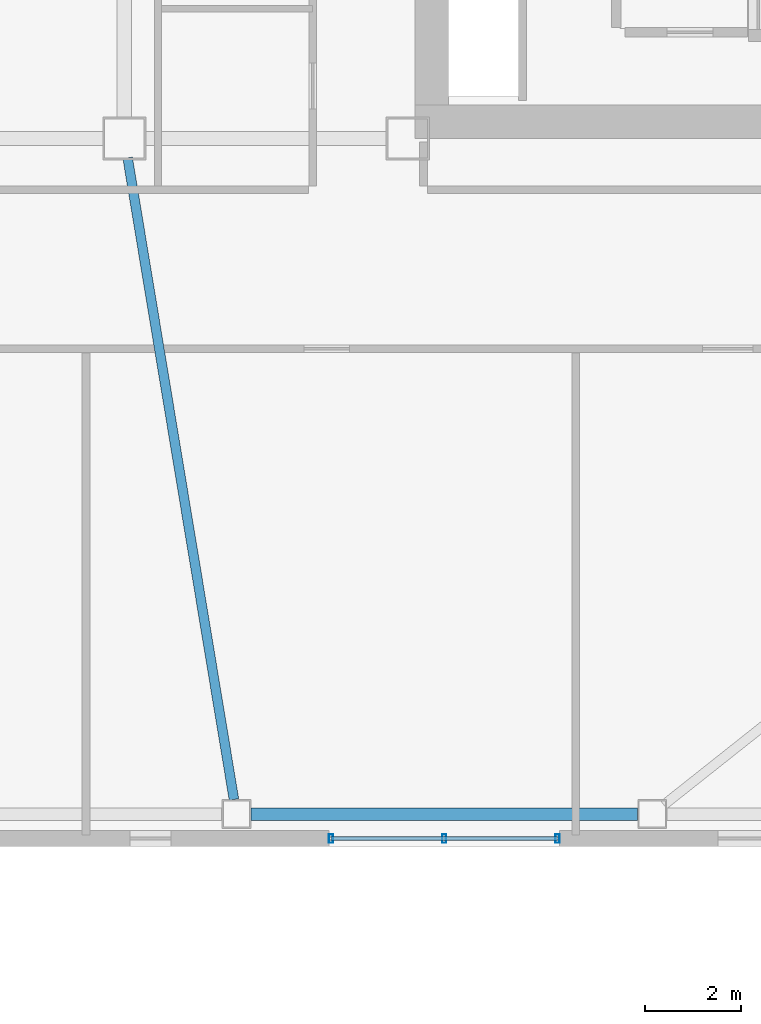
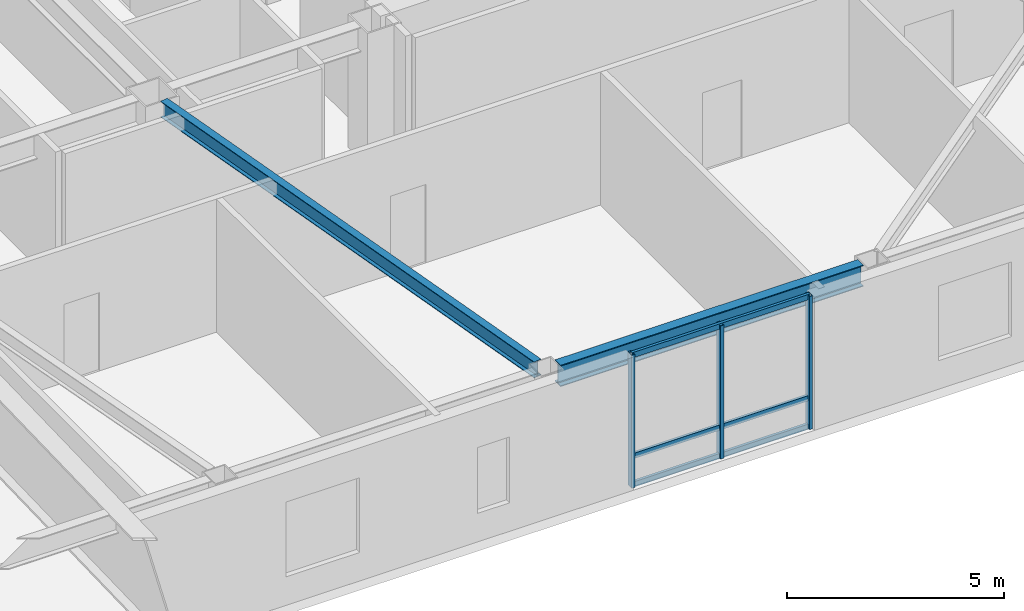
# One storey, part 3 of 17: 6 members, 2 beams, 1 element without a shape of its own.
"""IFC4 building model written with IfcOpenShell, lengths in metres."""

from ifc_helpers import new_model, si_unit, direction, frame, origin, origin_2d, place, context, subcontext, project, spatial, hollow_rectangle, i_section, extrude, material, layer, layer_set, material_profile, profile_set, type_object, element, aggregate, save


model = new_model("IFC4")

# Units and contexts
model_context = context("Model", 3, precision=1e-05, world=origin(), true_north=direction((0.0, 1.0)))
body_context = subcontext(model_context, "Body", "Model", "MODEL_VIEW")
ifc_project = project(units=[si_unit("LENGTHUNIT", "METRE"), si_unit("AREAUNIT", "SQUARE_METRE"), si_unit("VOLUMEUNIT", "CUBIC_METRE"), si_unit("PLANEANGLEUNIT", "RADIAN"), si_unit("MASSUNIT", "GRAM", prefix="KILO")], contexts=[model_context])

# Site, building, storey
site_placement = place(None, origin())
site = spatial("IfcSite", under=ifc_project, at=site_placement, CompositionType="ELEMENT")
building_placement = place(site_placement, origin())
building = spatial("IfcBuilding", under=site, at=building_placement, Name="Tavrogorsk Clinical Tower", CompositionType="ELEMENT")
storey_placement = place(building_placement, frame((0.0, 0.0, 160.199951171875)))
storey = spatial("IfcBuildingStorey", under=building, at=storey_placement, Name="L36", CompositionType="ELEMENT", Elevation=160.199951171875)

# Curtain wall, members
ifc_material_1 = material(Name="Anodised aluminium and triple IGU glazing", Category="aluminium")
ifc_layer = layer(ifc_material_1, 0.179931640625)
ifc_layer_set = layer_set([ifc_layer], Name="Anodised aluminium and triple IGU glazing")
curtain_wall_type = type_object("IfcCurtainWallType", Name="CW3_SouthSlot", PredefinedType="NOTDEFINED", material=ifc_layer_set)
curtain_wall_placement = place(storey_placement, origin())
curtain_wall = element("IfcCurtainWall", 1, at=curtain_wall_placement, inside=storey, type_object=curtain_wall_type, Name="L36 Curtain Wall CW-L36-S-SLOT-2", PredefinedType="NOTDEFINED")
ifc_material_2 = material(Name="Anodised aluminium alloy AW-6060", Category="aluminium")
ifc_material_profile_1 = material_profile(ifc_material_2, hollow_rectangle(XDim=0.090087890625, YDim=0.179931640625, WallThickness=0.00634765625, at=origin_2d()), Name="RHS-180x90x6.3")
ifc_profile_set_1 = profile_set([ifc_material_profile_1], Name="Anodised aluminium alloy AW-6060")
member_type_1 = type_object("IfcMemberType", Name="CwMullion_180x90", PredefinedType="MULLION", material=ifc_profile_set_1)
member_1_placement = place(storey_placement, frame((8.703857421875, -20.929931640625, 0.0), z_axis=(0.0, 0.0, 1.0), x_axis=(1.0, 0.0, 0.0)))
member_1 = element("IfcMember", 2, at=member_1_placement, type_object=member_type_1, Name="CW-L36-S-SLOT-2 Mullion 1", PredefinedType="MULLION", context=body_context, shape_type="SweptSolid", body=[
    extrude(hollow_rectangle(XDim=0.090087890625, YDim=0.179931640625, WallThickness=0.00634765625, at=origin_2d()), origin(), (0.0, 0.0, 1.0), 3.739990234375),
])
member_2_placement = place(storey_placement, frame((11.062744140625, -20.929931640625, 0.0), z_axis=(0.0, 0.0, 1.0), x_axis=(1.0, 0.0, 0.0)))
member_2 = element("IfcMember", 3, at=member_2_placement, type_object=member_type_1, Name="CW-L36-S-SLOT-2 Mullion 2", PredefinedType="MULLION", context=body_context, shape_type="SweptSolid", body=[
    extrude(hollow_rectangle(XDim=0.090087890625, YDim=0.179931640625, WallThickness=0.00634765625, at=origin_2d()), origin(), (0.0, 0.0, 1.0), 3.739990234375),
])
member_3_placement = place(storey_placement, frame((13.421875, -20.929931640625, 0.0), z_axis=(0.0, 0.0, 1.0), x_axis=(1.0, 0.0, 0.0)))
member_3 = element("IfcMember", 4, at=member_3_placement, type_object=member_type_1, Name="CW-L36-S-SLOT-2 Mullion 3", PredefinedType="MULLION", context=body_context, shape_type="SweptSolid", body=[
    extrude(hollow_rectangle(XDim=0.090087890625, YDim=0.179931640625, WallThickness=0.00634765625, at=origin_2d()), origin(), (0.0, 0.0, 1.0), 3.739990234375),
])
ifc_material_3 = material(Name="Anodised aluminium alloy AW-6060", Category="aluminium")
ifc_material_profile_2 = material_profile(ifc_material_3, hollow_rectangle(XDim=0.074951171875, YDim=0.14990234375, WallThickness=0.0048828125, at=origin_2d()), Name="RHS-150x75x5")
ifc_profile_set_2 = profile_set([ifc_material_profile_2], Name="Anodised aluminium alloy AW-6060")
member_type_2 = type_object("IfcMemberType", Name="CwTransom_150x75", PredefinedType="USERDEFINED", material=ifc_profile_set_2)
member_4_placement = place(storey_placement, frame((8.703857421875, -20.929931640625, 0.050048828125), z_axis=(1.0, 0.0, 0.0), x_axis=(0.0, 1.0, 0.0)))
member_4 = element("IfcMember", 5, at=member_4_placement, type_object=member_type_2, Name="CW-L36-S-SLOT-2 Transom 1", ObjectType="TRANSOM", PredefinedType="USERDEFINED", context=body_context, shape_type="SweptSolid", body=[
    extrude(hollow_rectangle(XDim=0.074951171875, YDim=0.14990234375, WallThickness=0.0048828125, at=origin_2d()), origin(), (0.0, 0.0, 1.0), 4.718017578125),
])
member_5_placement = place(storey_placement, frame((8.703857421875, -20.929931640625, 0.85009765625), z_axis=(1.0, 0.0, 0.0), x_axis=(0.0, 1.0, 0.0)))
member_5 = element("IfcMember", 6, at=member_5_placement, type_object=member_type_2, Name="CW-L36-S-SLOT-2 Transom 2", ObjectType="TRANSOM", PredefinedType="USERDEFINED", context=body_context, shape_type="SweptSolid", body=[
    extrude(hollow_rectangle(XDim=0.074951171875, YDim=0.14990234375, WallThickness=0.0048828125, at=origin_2d()), origin(), (0.0, 0.0, 1.0), 4.718017578125),
])
member_6_placement = place(storey_placement, frame((8.703857421875, -20.929931640625, 3.68994140625), z_axis=(1.0, 0.0, 0.0), x_axis=(0.0, 1.0, 0.0)))
member_6 = element("IfcMember", 7, at=member_6_placement, type_object=member_type_2, Name="CW-L36-S-SLOT-2 Transom 3", ObjectType="TRANSOM", PredefinedType="USERDEFINED", context=body_context, shape_type="SweptSolid", body=[
    extrude(hollow_rectangle(XDim=0.074951171875, YDim=0.14990234375, WallThickness=0.0048828125, at=origin_2d()), origin(), (0.0, 0.0, 1.0), 4.718017578125),
])
aggregate(curtain_wall, [member_1, member_2, member_3, member_4, member_5, member_6])

# Beams
ifc_material_4 = material(Name="Structural steel S355", Category="steel")
ifc_material_profile_3 = material_profile(ifc_material_4, i_section(OverallWidth=0.199951171875, OverallDepth=0.449951171875, WebThickness=0.011474609375, FlangeThickness=0.01806640625, at=origin_2d()), Name="B-450x200x11.5x18")
ifc_profile_set_3 = profile_set([ifc_material_profile_3], Name="Structural steel S355")
beam_type_1 = type_object("IfcBeamType", Name="FloorBeam_B450", PredefinedType="BEAM", material=ifc_profile_set_3)
beam_1_placement = place(storey_placement, frame((4.467041015625, -6.75439453125, 3.51513671875), z_axis=(0.16347521907, -0.986547440699, 0.0), x_axis=(0.986547440699, 0.16347521907, 0.0)))
element("IfcBeam", 8, at=beam_1_placement, inside=storey, type_object=beam_type_1, Name="L36 Radial Floor Beam S5", PredefinedType="BEAM", context=body_context, shape_type="SweptSolid", body=[
    extrude(i_section(OverallWidth=0.199951171875, OverallDepth=0.449951171875, WebThickness=0.011474609375, FlangeThickness=0.01806640625, at=origin_2d()), origin(), (0.0, 0.0, 1.0), 13.5439453125),
])
ifc_material_5 = material(Name="Structural steel S390", Category="steel")
ifc_material_profile_4 = material_profile(ifc_material_5, i_section(OverallWidth=0.260009765625, OverallDepth=0.60009765625, WebThickness=0.014892578125, FlangeThickness=0.02392578125, at=origin_2d()), Name="B-600x260x15x24")
ifc_profile_set_4 = profile_set([ifc_material_profile_4], Name="Structural steel S390")
beam_type_2 = type_object("IfcBeamType", Name="SpandrelBeam_B600", PredefinedType="SPANDREL", material=ifc_profile_set_4)
beam_2_placement = place(storey_placement, frame((7.039306640625, -20.419921875, 3.43994140625), z_axis=(1.0, 0.0, 0.0), x_axis=(0.0, 1.0, 0.0)))
element("IfcBeam", 9, at=beam_2_placement, inside=storey, type_object=beam_type_2, Name="L36 Perimeter Spandrel S5-S6", PredefinedType="SPANDREL", context=body_context, shape_type="SweptSolid", body=[
    extrude(i_section(OverallWidth=0.260009765625, OverallDepth=0.60009765625, WebThickness=0.014892578125, FlangeThickness=0.02392578125, at=origin_2d()), origin(), (0.0, 0.0, 1.0), 8.046875),
])

save(model, "model.ifc")
